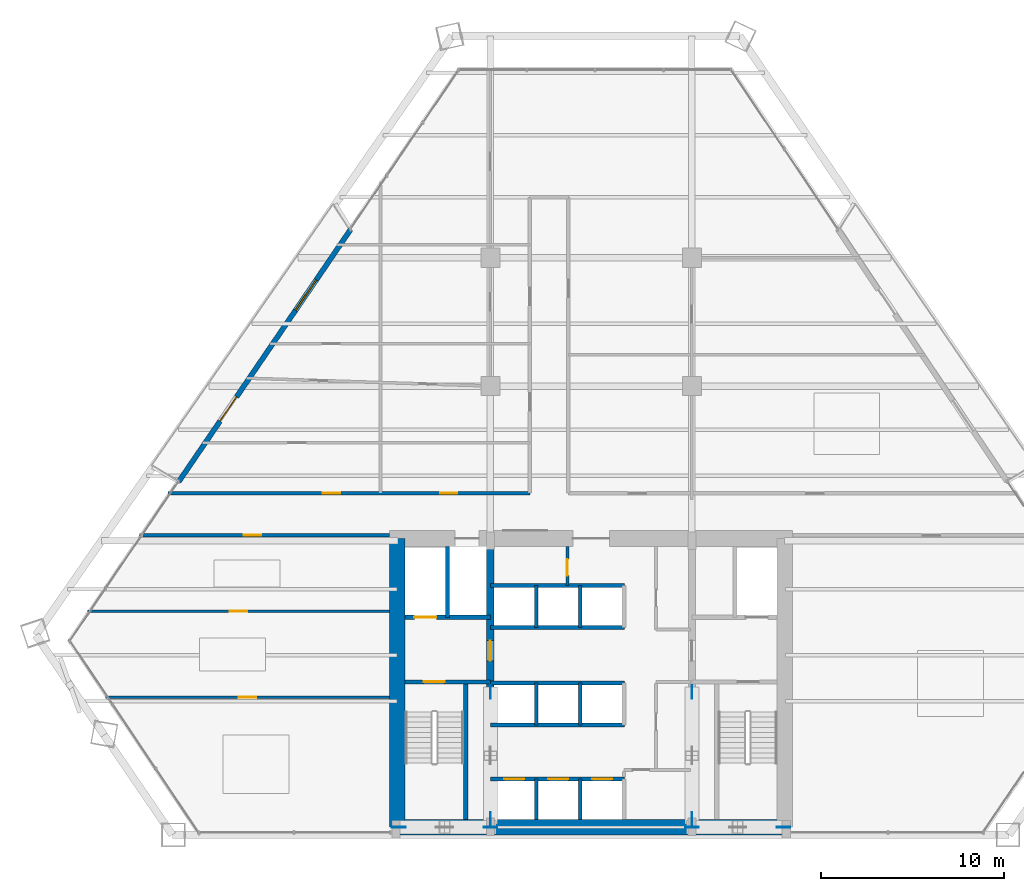
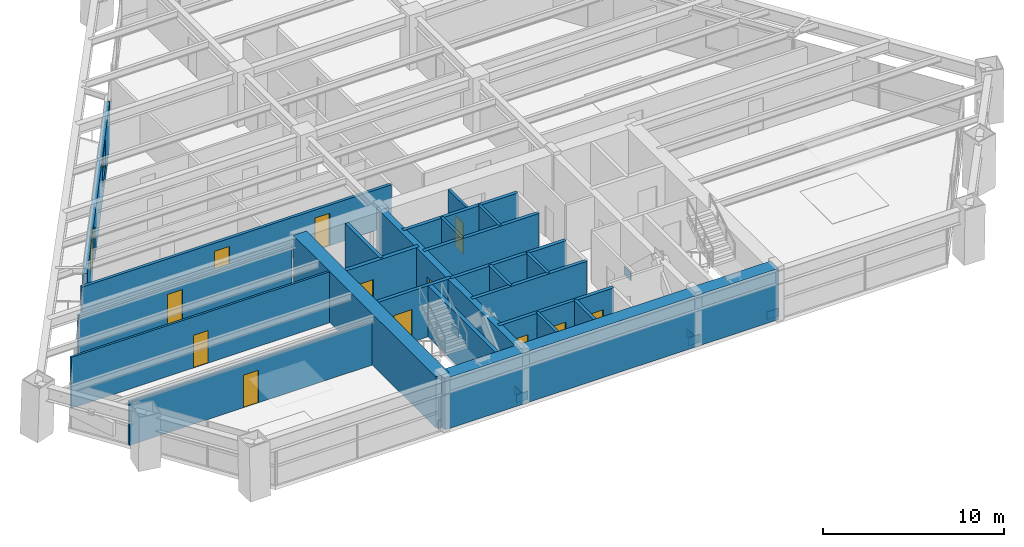
# One storey, part 10 of 14: 24 walls, 13 doors, 8 plates, 1 window, 14 openings.
"""IFC4 building model written with IfcOpenShell, lengths in metres."""

from ifc_helpers import new_model, si_unit, direction, frame, frame_2d, origin, origin_2d, place, context, subcontext, project, spatial, rectangle, extrude, source, transform, mapped, material, layer, layer_set, type_object, type_shapes, element, fill, save


model = new_model("IFC4")

# Units and contexts
model_context = context("Model", 3, precision=1e-05, world=origin(), true_north=direction((0.0, 1.0)))
body_context = subcontext(model_context, "Body", "Model", "MODEL_VIEW")
ifc_project = project(units=[si_unit("LENGTHUNIT", "METRE"), si_unit("AREAUNIT", "SQUARE_METRE"), si_unit("VOLUMEUNIT", "CUBIC_METRE"), si_unit("PLANEANGLEUNIT", "RADIAN"), si_unit("MASSUNIT", "GRAM", prefix="KILO")], contexts=[model_context])

# Site, building, storey
site_placement = place(None, origin())
site = spatial("IfcSite", under=ifc_project, at=site_placement, CompositionType="ELEMENT")
building_placement = place(site_placement, origin())
building = spatial("IfcBuilding", under=site, at=building_placement, Name="Varnakhor Terracotta Tower", CompositionType="ELEMENT")
storey_placement = place(building_placement, frame((0.0, 0.0, 46.0)))
storey = spatial("IfcBuildingStorey", under=building, at=storey_placement, Name="L10", CompositionType="ELEMENT", Elevation=46.0)

# Plates
ifc_material_1 = material(Name="Steel S460", Category="steel")
ifc_layer_1 = layer(ifc_material_1, 0.050048828125, Name="Steel S460")
ifc_layer_set_1 = layer_set([ifc_layer_1], Name="Steel S460")
plate_type = type_object("IfcPlateType", Name="PLT-GUSSET-50", PredefinedType="USERDEFINED", material=ifc_layer_set_1)
shared_shape_1 = source(origin(), body_context, "Body", "SweptSolid", [
    extrude(rectangle(XDim=0.75, YDim=0.0400390625, at=origin_2d()), origin(), (0.0, 0.0, 1.0), 0.550048828125),
])
type_shapes(plate_type, [shared_shape_1])
for number, where, z_axis, x_axis, name in (
    (1, (-10.5, 0.419921875, -0.09521484375), (0.0, 0.0, 1.0), (1.0, 0.0, 0.0), "L10 Core Brace Embed Plate CSWA"),
    (2, (-5.5, 0.419921875, -0.09521484375), (0.0, 0.0, 1.0), (1.0, 0.0, 0.0), "L10 Core Brace Embed Plate CSWB"),
    (3, (5.5, 0.419921875, -0.09521484375), (0.0, 0.0, 1.0), (1.0, 0.0, 0.0), "L10 Core Brace Embed Plate CSEA"),
    (4, (10.5, 0.419921875, -0.09521484375), (0.0, 0.0, 1.0), (1.0, 0.0, 0.0), "L10 Core Brace Embed Plate CSEB"),
    (5, (-5.5, 0.85009765625, -0.09521484375), (0.0, 0.0, 1.0), (0.0, 1.0, 0.0), "L10 Core Brace Embed Plate CWWA"),
    (6, (-5.5, 7.800048828125, -0.09521484375), (0.0, 0.0, 1.0), (0.0, 1.0, 0.0), "L10 Core Brace Embed Plate CWWB"),
    (7, (5.5, 0.85009765625, -0.09521484375), (0.0, 0.0, 1.0), (0.0, 1.0, 0.0), "L10 Core Brace Embed Plate CWEA"),
    (8, (5.5, 7.800048828125, -0.09521484375), (0.0, 0.0, 1.0), (0.0, 1.0, 0.0), "L10 Core Brace Embed Plate CWEB"),
):
    element("IfcPlate", number, at=place(storey_placement, frame(where, z_axis=z_axis, x_axis=x_axis)), inside=storey, type_object=plate_type, Name=name, ObjectType="GUSSET PLATE", PredefinedType="USERDEFINED", context=body_context, shape_type="MappedRepresentation", body=[
        mapped(shared_shape_1, transform((0.0, 0.0, 0.0), scale=1.0)),
    ])

# Walls
ifc_material_2 = material(Name="Concrete C60/75", Category="concrete")
ifc_layer_2 = layer(ifc_material_2, 0.85009765625, Name="Concrete C60/75")
ifc_layer_set_2 = layer_set([ifc_layer_2], Name="Concrete C60/75")
wall_type_1 = type_object("IfcWallType", Name="WAL-CORE-850", PredefinedType="SHEAR", material=ifc_layer_set_2)
wall_1_placement = place(storey_placement, frame((-10.64990234375, 0.425048828125, 0.0), z_axis=(0.0, 0.0, 1.0), x_axis=(1.0, 0.0, 0.0)))
element("IfcWall", 9, at=wall_1_placement, inside=storey, type_object=wall_type_1, Name="L10 South Core Shear Wall", PredefinedType="SHEAR", context=body_context, shape_type="SweptSolid", body=[
    extrude(rectangle(XDim=21.2998046875, YDim=0.85009765625, at=frame_2d((10.64990234375, 0.0))), origin(), (0.0, 0.0, 1.0), 3.449951171875),
])
wall_2_placement = place(storey_placement, frame((-10.574951171875, 0.425048828125, 0.0), z_axis=(0.0, 0.0, 1.0), x_axis=(0.0, 1.0, 0.0)))
element("IfcWall", 10, at=wall_2_placement, inside=storey, type_object=wall_type_1, Name="L10 West Core Shear Wall", PredefinedType="SHEAR", context=body_context, shape_type="SweptSolid", body=[
    extrude(rectangle(XDim=15.75, YDim=0.85009765625, at=frame_2d((7.875, 0.0))), origin(), (0.0, 0.0, 1.0), 3.449951171875),
])

# Wall, opening, door
ifc_material_3 = material(Name="Concrete C50/60", Category="concrete")
ifc_layer_3 = layer(ifc_material_3, 0.39990234375, Name="Concrete C50/60")
ifc_layer_set_3 = layer_set([ifc_layer_3], Name="Concrete C50/60")
wall_type_2 = type_object("IfcWallType", Name="WAL-CORE-WEB-400", PredefinedType="SHEAR", material=ifc_layer_set_3)
wall_3_placement = place(storey_placement, frame((-5.5, 0.425048828125, 0.0), z_axis=(0.0, 0.0, 1.0), x_axis=(0.0, 1.0, 0.0)))
wall_3 = element("IfcWall", 11, at=wall_3_placement, inside=storey, type_object=wall_type_2, Name="L10 West Core Web Shear Wall", PredefinedType="SHEAR", context=body_context, shape_type="SweptSolid", body=[
    extrude(rectangle(XDim=15.75, YDim=0.39990234375, at=frame_2d((7.875, 0.0))), origin(), (0.0, 0.0, 1.0), 3.449951171875),
])
opening_1_placement = place(wall_3_placement, frame((9.074951171875, 0.0, 0.0)))
opening_1 = element("IfcOpeningElement", 12, at=opening_1_placement, cuts=wall_3, Name="Opening DR-25", PredefinedType="OPENING", context=body_context, shape_type="SweptSolid", body=[
    extrude(rectangle(XDim=1.10009765625, YDim=2.199951171875, at=frame_2d((0.550048828125, 1.10009765625))), frame((0.0, 0.2099609375, 0.0), z_axis=(0.0, -1.0, 0.0), x_axis=(1.0, 0.0, 0.0)), (0.0, 0.0, 1.0), 0.419921875),
])
ifc_material_4 = material(Name="Firefighting Lobby Self-Closing Fire Door", Category="steel")
door_type_1 = type_object("IfcDoorType", Name="DR-FFL-1100X2200", OperationType="NOTDEFINED", PredefinedType="DOOR", material=ifc_material_4)
shared_shape_2 = source(origin(), body_context, "Body", "SweptSolid", [
    extrude(rectangle(XDim=1.10009765625, YDim=2.199951171875, at=frame_2d((0.550048828125, 1.10009765625))), frame((0.0, 0.02490234375, 0.0), z_axis=(0.0, -1.0, 0.0), x_axis=(1.0, 0.0, 0.0)), (0.0, 0.0, 1.0), 0.050048828125),
])
type_shapes(door_type_1, [shared_shape_2])
door_1_placement = place(opening_1_placement, origin())
door_1 = element("IfcDoor", 13, at=door_1_placement, inside=storey, type_object=door_type_1, Name="L10 West Firefighting Lobby Door", OperationType="SINGLE_SWING_RIGHT", OverallHeight=2.199951171875, OverallWidth=1.10009765625, PredefinedType="DOOR", context=body_context, shape_type="MappedRepresentation", body=[
    mapped(shared_shape_2, transform((0.0, 0.0, 0.0), scale=1.0)),
])
fill(opening_1, door_1)

ifc_material_5 = material(Name="Fire-Rated Gypsum Stud Partition", Category="gypsum")
ifc_layer_4 = layer(ifc_material_5, 0.18505859375, Name="Fire-Rated Gypsum Stud Partition")
ifc_layer_set_4 = layer_set([ifc_layer_4], Name="Fire-Rated Gypsum Stud Partition")
wall_type_3 = type_object("IfcWallType", Name="WAL-CORR-185", PredefinedType="PARTITIONING", material=ifc_layer_set_4)
wall_4_placement = place(storey_placement, frame((-24.66357421875, 16.35009765625, 0.0), z_axis=(0.0, 0.0, 1.0), x_axis=(1.0, 0.0, 0.0)))
wall_4 = element("IfcWall", 14, at=wall_4_placement, inside=storey, type_object=wall_type_3, Name="L10 South West Corridor Wall", PredefinedType="PARTITIONING", context=body_context, shape_type="SweptSolid", body=[
    extrude(rectangle(XDim=13.6435546875, YDim=0.18505859375, at=frame_2d((6.82177734375, 0.0))), origin(), (0.0, 0.0, 1.0), 2.7470703125),
])
opening_2_placement = place(wall_4_placement, frame((5.698486328125, 0.0, 0.0)))
opening_2 = element("IfcOpeningElement", 15, at=opening_2_placement, cuts=wall_4, Name="Opening DR-94", PredefinedType="OPENING", context=body_context, shape_type="SweptSolid", body=[
    extrude(rectangle(XDim=0.949951171875, YDim=2.199951171875, at=frame_2d((0.47509765625, 1.10009765625))), frame((0.0, 0.1025390625, 0.0), z_axis=(0.0, -1.0, 0.0), x_axis=(1.0, 0.0, 0.0)), (0.0, 0.0, 1.0), 0.205078125),
])
ifc_material_6 = material(Name="Acoustic Glazed-Vision Timber Office Door", Category="wood")
door_type_2 = type_object("IfcDoorType", Name="DR-OFF-950X2200", OperationType="NOTDEFINED", PredefinedType="DOOR", material=ifc_material_6)
shared_shape_3 = source(origin(), body_context, "Body", "SweptSolid", [
    extrude(rectangle(XDim=0.949951171875, YDim=2.199951171875, at=frame_2d((0.47509765625, 1.10009765625))), frame((0.0, 0.02490234375, 0.0), z_axis=(0.0, -1.0, 0.0), x_axis=(1.0, 0.0, 0.0)), (0.0, 0.0, 1.0), 0.050048828125),
])
type_shapes(door_type_2, [shared_shape_3])
door_2_placement = place(opening_2_placement, origin())
door_2 = element("IfcDoor", 16, at=door_2_placement, inside=storey, type_object=door_type_2, Name="L10 SW Suite Door", OperationType="SINGLE_SWING_LEFT", OverallHeight=2.199951171875, OverallWidth=0.949951171875, PredefinedType="DOOR", context=body_context, shape_type="MappedRepresentation", body=[
    mapped(shared_shape_3, transform((0.0, 0.0, 0.0), scale=1.0)),
])
fill(opening_2, door_2)

# Wall, openings, doors
wall_5_placement = place(storey_placement, frame((-23.096435546875, 18.64990234375, 0.0), z_axis=(0.0, 0.0, 1.0), x_axis=(1.0, 0.0, 0.0)))
wall_5 = element("IfcWall", 17, at=wall_5_placement, inside=storey, type_object=wall_type_3, Name="L10 Corridor North West Wall", PredefinedType="PARTITIONING", context=body_context, shape_type="SweptSolid", body=[
    extrude(rectangle(XDim=19.746337890625, YDim=0.18505859375, at=frame_2d((9.873046875, 0.0))), origin(), (0.0, 0.0, 1.0), 2.7470703125),
])
opening_3_placement = place(wall_5_placement, frame((8.44482421875, 0.0, 0.0)))
opening_3 = element("IfcOpeningElement", 18, at=opening_3_placement, cuts=wall_5, Name="Opening DR-94", PredefinedType="OPENING", context=body_context, shape_type="SweptSolid", body=[
    extrude(rectangle(XDim=0.949951171875, YDim=2.199951171875, at=frame_2d((0.47509765625, 1.10009765625))), frame((0.0, 0.1025390625, 0.0), z_axis=(0.0, -1.0, 0.0), x_axis=(1.0, 0.0, 0.0)), (0.0, 0.0, 1.0), 0.205078125),
])
opening_4_placement = place(wall_5_placement, frame((14.85009765625, 0.0, 0.0)))
opening_4 = element("IfcOpeningElement", 19, at=opening_4_placement, cuts=wall_5, Name="Opening DR-94", PredefinedType="OPENING", context=body_context, shape_type="SweptSolid", body=[
    extrude(rectangle(XDim=0.949951171875, YDim=2.199951171875, at=frame_2d((0.47509765625, 1.10009765625))), frame((0.0, 0.1025390625, 0.0), z_axis=(0.0, -1.0, 0.0), x_axis=(1.0, 0.0, 0.0)), (0.0, 0.0, 1.0), 0.205078125),
])
door_3_placement = place(opening_3_placement, origin())
door_3 = element("IfcDoor", 20, at=door_3_placement, inside=storey, type_object=door_type_2, Name="L10 West Workplace Door", OperationType="SINGLE_SWING_LEFT", OverallHeight=2.199951171875, OverallWidth=0.949951171875, PredefinedType="DOOR", context=body_context, shape_type="MappedRepresentation", body=[
    mapped(shared_shape_3, transform((0.0, 0.0, 0.0), scale=1.0)),
])
fill(opening_3, door_3)
door_4_placement = place(opening_4_placement, origin())
door_4 = element("IfcDoor", 21, at=door_4_placement, inside=storey, type_object=door_type_2, Name="L10 Project Study Office B7 Door", OperationType="SINGLE_SWING_RIGHT", OverallHeight=2.199951171875, OverallWidth=0.949951171875, PredefinedType="DOOR", context=body_context, shape_type="MappedRepresentation", body=[
    mapped(shared_shape_3, transform((0.0, 0.0, 0.0), scale=1.0)),
])
fill(opening_4, door_4)

# Wall, openings, door, window
ifc_material_7 = material(Name="Extruded Architectural Terracotta Assembly", Category="masonry")
ifc_layer_5 = layer(ifc_material_7, 0.280029296875, Name="Extruded Architectural Terracotta Assembly")
ifc_layer_set_5 = layer_set([ifc_layer_5], Name="Extruded Architectural Terracotta Assembly")
wall_type_4 = type_object("IfcWallType", Name="WAL-EXT-TERRACOTTA-280", PredefinedType="SOLIDWALL", material=ifc_layer_set_5)
wall_6_placement = place(storey_placement, frame((-22.510498046875, 19.279296875, 0.0), z_axis=(0.0, 0.0, 1.0), x_axis=(0.563087999023, 0.826396941764, 0.0)))
wall_6 = element("IfcWall", 22, at=wall_6_placement, inside=storey, type_object=wall_type_4, Name="L10 W Loggia Insulated Terracotta Wall", PredefinedType="SOLIDWALL", context=body_context, shape_type="SweptSolid", body=[
    extrude(rectangle(XDim=16.6552734375, YDim=0.280029296875, at=frame_2d((8.32763671875, 0.0))), origin(), (0.0, 0.0, 1.0), 3.030029296875),
])
opening_5_placement = place(wall_6_placement, frame((3.997314453125, 0.0, 0.0)))
opening_5 = element("IfcOpeningElement", 23, at=opening_5_placement, cuts=wall_6, Name="Opening DR-62", PredefinedType="OPENING", context=body_context, shape_type="SweptSolid", body=[
    extrude(rectangle(XDim=1.60009765625, YDim=2.35009765625, at=frame_2d((0.800048828125, 1.175048828125))), frame((0.0, 0.14990234375, 0.0), z_axis=(0.0, -1.0, 0.0), x_axis=(1.0, 0.0, 0.0)), (0.0, 0.0, 1.0), 0.300048828125),
])
opening_6_placement = place(wall_6_placement, frame((11.32568359375, 0.0, 0.89990234375)))
opening_6 = element("IfcOpeningElement", 24, at=opening_6_placement, cuts=wall_6, Name="Opening WN-26", PredefinedType="OPENING", context=body_context, shape_type="SweptSolid", body=[
    extrude(rectangle(XDim=2.0, YDim=1.85009765625, at=frame_2d((1.0, 0.925048828125))), frame((0.0, 0.14990234375, 0.0), z_axis=(0.0, -1.0, 0.0), x_axis=(1.0, 0.0, 0.0)), (0.0, 0.0, 1.0), 0.300048828125),
])
ifc_material_8 = material(Name="Thermally Broken Sliding Glass Loggia Door", Category="glass")
door_type_3 = type_object("IfcDoorType", Name="DR-EXT-LOGGIA-1600X2350", OperationType="NOTDEFINED", PredefinedType="DOOR", material=ifc_material_8)
shared_shape_4 = source(origin(), body_context, "Body", "SweptSolid", [
    extrude(rectangle(XDim=1.60009765625, YDim=2.35009765625, at=frame_2d((0.800048828125, 1.175048828125))), frame((0.0, 0.02490234375, 0.0), z_axis=(0.0, -1.0, 0.0), x_axis=(1.0, 0.0, 0.0)), (0.0, 0.0, 1.0), 0.050048828125),
])
type_shapes(door_type_3, [shared_shape_4])
door_5_placement = place(opening_5_placement, origin())
door_5 = element("IfcDoor", 25, at=door_5_placement, inside=storey, type_object=door_type_3, Name="L10 W Recessed Loggia Sliding Door", OperationType="SLIDING_TO_LEFT", OverallHeight=2.35009765625, OverallWidth=1.60009765625, PredefinedType="DOOR", context=body_context, shape_type="MappedRepresentation", body=[
    mapped(shared_shape_4, transform((0.0, 0.0, 0.0), scale=1.0)),
])
fill(opening_5, door_5)
ifc_material_9 = material(Name="Solar-Control Low-E Insulated Glass Unit", Category="glass")
window_type = type_object("IfcWindowType", Name="WIN-OFF-2200X2100", PartitioningType="SINGLE_PANEL", PredefinedType="WINDOW", material=ifc_material_9)
shared_shape_5 = source(origin(), body_context, "Body", "SweptSolid", [
    extrude(rectangle(XDim=2.0, YDim=1.85009765625, at=frame_2d((1.0, 0.925048828125))), frame((0.0, 0.030029296875, 0.0), z_axis=(0.0, -1.0, 0.0), x_axis=(1.0, 0.0, 0.0)), (0.0, 0.0, 1.0), 0.06005859375),
])
type_shapes(window_type, [shared_shape_5])
window_placement = place(opening_6_placement, origin())
window = element("IfcWindow", 26, at=window_placement, inside=storey, type_object=window_type, Name="L10 W Facet Punched Window", OverallHeight=1.85009765625, OverallWidth=2.0, PartitioningType="SINGLE_PANEL", PredefinedType="WINDOW", context=body_context, shape_type="MappedRepresentation", body=[
    mapped(shared_shape_5, transform((0.0, 0.0, 0.0), scale=1.0)),
])
fill(opening_6, window)

# Wall, opening, door
ifc_material_10 = material(Name="Concrete C40/50", Category="concrete")
ifc_layer_6 = layer(ifc_material_10, 0.219970703125, Name="Concrete C40/50")
ifc_layer_set_6 = layer_set([ifc_layer_6], Name="Concrete C40/50")
wall_type_5 = type_object("IfcWallType", Name="WAL-FFLOBBY-220", PredefinedType="SOLIDWALL", material=ifc_layer_set_6)
wall_7_placement = place(storey_placement, frame((-5.5, 8.35009765625, 0.0), z_axis=(0.0, 0.0, 1.0), x_axis=(-1.0, 0.0, 0.0)))
wall_7 = element("IfcWall", 27, at=wall_7_placement, inside=storey, type_object=wall_type_5, Name="L10 West Firefighting Lobby Stair Wall", PredefinedType="SOLIDWALL", context=body_context, shape_type="SweptSolid", body=[
    extrude(rectangle(XDim=4.64990234375, YDim=0.219970703125, at=frame_2d((2.324951171875, 0.0))), origin(), (0.0, 0.0, 1.0), 3.449951171875),
])
opening_7_placement = place(wall_7_placement, frame((2.5, 0.0, 0.0)))
opening_7 = element("IfcOpeningElement", 28, at=opening_7_placement, cuts=wall_7, Name="Opening DR-34", PredefinedType="OPENING", context=body_context, shape_type="SweptSolid", body=[
    extrude(rectangle(XDim=1.14990234375, YDim=2.199951171875, at=frame_2d((0.574951171875, 1.10009765625))), frame((0.0, 0.1201171875, 0.0), z_axis=(0.0, -1.0, 0.0), x_axis=(1.0, 0.0, 0.0)), (0.0, 0.0, 1.0), 0.239990234375),
])
ifc_material_11 = material(Name="Self-Closing Smoke-Sealed Steel Fire Door", Category="steel")
door_type_4 = type_object("IfcDoorType", Name="DR-STAIR-1150X2200", OperationType="NOTDEFINED", PredefinedType="DOOR", material=ifc_material_11)
shared_shape_6 = source(origin(), body_context, "Body", "SweptSolid", [
    extrude(rectangle(XDim=1.14990234375, YDim=2.199951171875, at=frame_2d((0.574951171875, 1.10009765625))), frame((0.0, 0.02490234375, 0.0), z_axis=(0.0, -1.0, 0.0), x_axis=(1.0, 0.0, 0.0)), (0.0, 0.0, 1.0), 0.050048828125),
])
type_shapes(door_type_4, [shared_shape_6])
door_6_placement = place(opening_7_placement, origin())
door_6 = element("IfcDoor", 29, at=door_6_placement, inside=storey, type_object=door_type_4, Name="L10 Exit Stair ST-1 Fire Door", OperationType="SINGLE_SWING_LEFT", OverallHeight=2.199951171875, OverallWidth=1.14990234375, PredefinedType="DOOR", context=body_context, shape_type="MappedRepresentation", body=[
    mapped(shared_shape_6, transform((0.0, 0.0, 0.0), scale=1.0)),
])
fill(opening_7, door_6)

ifc_material_12 = material(Name="Acoustic Metal-Stud Partition", Category="gypsum")
ifc_layer_7 = layer(ifc_material_12, 0.139892578125, Name="Acoustic Metal-Stud Partition")
ifc_layer_set_7 = layer_set([ifc_layer_7], Name="Acoustic Metal-Stud Partition")
wall_type_6 = type_object("IfcWallType", Name="WAL-PART-140", PredefinedType="PARTITIONING", material=ifc_layer_set_7)
wall_8_placement = place(storey_placement, frame((-26.501953125, 7.5, 0.0), z_axis=(0.0, 0.0, 1.0), x_axis=(1.0, 0.0, 0.0)))
wall_8 = element("IfcWall", 30, at=wall_8_placement, inside=storey, type_object=wall_type_6, Name="L10 South West Cut 1", PredefinedType="PARTITIONING", context=body_context, shape_type="SweptSolid", body=[
    extrude(rectangle(XDim=15.48193359375, YDim=0.139892578125, at=frame_2d((7.740966796875, 0.0))), origin(), (0.0, 0.0, 1.0), 2.97900390625),
])
opening_8_placement = place(wall_8_placement, frame((7.277587890625, 0.0, 0.0)))
opening_8 = element("IfcOpeningElement", 31, at=opening_8_placement, cuts=wall_8, Name="Opening DR-94", PredefinedType="OPENING", context=body_context, shape_type="SweptSolid", body=[
    extrude(rectangle(XDim=0.949951171875, YDim=2.199951171875, at=frame_2d((0.47509765625, 1.10009765625))), frame((0.0, 0.080078125, 0.0), z_axis=(0.0, -1.0, 0.0), x_axis=(1.0, 0.0, 0.0)), (0.0, 0.0, 1.0), 0.159912109375),
])
door_7_placement = place(opening_8_placement, origin())
door_7 = element("IfcDoor", 32, at=door_7_placement, inside=storey, type_object=door_type_2, Name="L10 South West Executive Office Door", OperationType="SINGLE_SWING_LEFT", OverallHeight=2.199951171875, OverallWidth=0.949951171875, PredefinedType="DOOR", context=body_context, shape_type="MappedRepresentation", body=[
    mapped(shared_shape_3, transform((0.0, 0.0, 0.0), scale=1.0)),
])
fill(opening_8, door_7)

wall_9_placement = place(storey_placement, frame((-27.4912109375, 12.199951171875, 0.0), z_axis=(0.0, 0.0, 1.0), x_axis=(1.0, 0.0, 0.0)))
wall_9 = element("IfcWall", 33, at=wall_9_placement, inside=storey, type_object=wall_type_6, Name="L10 South West Cut 2", PredefinedType="PARTITIONING", context=body_context, shape_type="SweptSolid", body=[
    extrude(rectangle(XDim=16.47119140625, YDim=0.139892578125, at=frame_2d((8.235595703125, 0.0))), origin(), (0.0, 0.0, 1.0), 3.44189453125),
])
opening_9_placement = place(wall_9_placement, frame((7.7734375, 0.0, 0.0)))
opening_9 = element("IfcOpeningElement", 34, at=opening_9_placement, cuts=wall_9, Name="Opening DR-94", PredefinedType="OPENING", context=body_context, shape_type="SweptSolid", body=[
    extrude(rectangle(XDim=0.949951171875, YDim=2.199951171875, at=frame_2d((0.47509765625, 1.10009765625))), frame((0.0, 0.080078125, 0.0), z_axis=(0.0, -1.0, 0.0), x_axis=(1.0, 0.0, 0.0)), (0.0, 0.0, 1.0), 0.159912109375),
])
door_8_placement = place(opening_9_placement, origin())
door_8 = element("IfcDoor", 35, at=door_8_placement, inside=storey, type_object=door_type_2, Name="L10 Project Study Office Door", OperationType="SINGLE_SWING_LEFT", OverallHeight=2.199951171875, OverallWidth=0.949951171875, PredefinedType="DOOR", context=body_context, shape_type="MappedRepresentation", body=[
    mapped(shared_shape_3, transform((0.0, 0.0, 0.0), scale=1.0)),
])
fill(opening_9, door_8)

# Walls
ifc_layer_8 = layer(ifc_material_10, 0.179931640625, Name="Concrete C40/50")
ifc_layer_set_8 = layer_set([ifc_layer_8], Name="Concrete C40/50")
wall_type_7 = type_object("IfcWallType", Name="WAL-SHAFT-180", PredefinedType="SOLIDWALL", material=ifc_layer_set_8)
for number, where, z_axis, x_axis, name in (
    (36, (-3.0, 0.85009765625, 0.0), (0.0, 0.0, 1.0), (0.0, 1.0, 0.0), "L10 PL-1A Divider"),
    (37, (-0.60009765625, 0.85009765625, 0.0), (0.0, 0.0, 1.0), (0.0, 1.0, 0.0), "L10 PL-1B Divider"),
):
    element("IfcWall", number, at=place(storey_placement, frame(where, z_axis=z_axis, x_axis=x_axis)), inside=storey, type_object=wall_type_7, Name=name, PredefinedType="SOLIDWALL", context=body_context, shape_type="SweptSolid", body=[
        extrude(rectangle(XDim=2.199951171875, YDim=0.179931640625, at=frame_2d((1.10009765625, 0.0))), origin(), (0.0, 0.0, 1.0), 3.449951171875),
    ])
for number, where, z_axis, x_axis, name in (
    (38, (-3.0, 6.0, 0.0), (0.0, 0.0, 1.0), (0.0, 1.0, 0.0), "L10 PL-2A Divider"),
    (39, (-0.60009765625, 6.0, 0.0), (0.0, 0.0, 1.0), (0.0, 1.0, 0.0), "L10 PL-2B Divider"),
    (40, (-3.0, 11.320068359375, 0.0), (0.0, 0.0, 1.0), (0.0, 1.0, 0.0), "L10 PL-3A Divider"),
    (41, (-0.60009765625, 11.320068359375, 0.0), (0.0, 0.0, 1.0), (0.0, 1.0, 0.0), "L10 PL-3B Divider"),
):
    element("IfcWall", number, at=place(storey_placement, frame(where, z_axis=z_axis, x_axis=x_axis)), inside=storey, type_object=wall_type_7, Name=name, PredefinedType="SOLIDWALL", context=body_context, shape_type="SweptSolid", body=[
        extrude(rectangle(XDim=2.300048828125, YDim=0.179931640625, at=frame_2d((1.14990234375, 0.0))), origin(), (0.0, 0.0, 1.0), 3.449951171875),
    ])
ifc_layer_9 = layer(ifc_material_10, 0.219970703125, Name="Concrete C40/50")
ifc_layer_set_9 = layer_set([ifc_layer_9], Name="Concrete C40/50")
wall_type_8 = type_object("IfcWallType", Name="WAL-SHAFT-220", PredefinedType="SOLIDWALL", material=ifc_layer_set_9)
wall_10_placement = place(storey_placement, frame((-7.840087890625, 11.8701171875, 0.0), z_axis=(0.0, 0.0, 1.0), x_axis=(0.0, 1.0, 0.0)))
element("IfcWall", 42, at=wall_10_placement, inside=storey, type_object=wall_type_8, Name="L10 Lift FFL-1 and SVL-1 Divider Wall", PredefinedType="SOLIDWALL", context=body_context, shape_type="SweptSolid", body=[
    extrude(rectangle(XDim=3.8798828125, YDim=0.219970703125, at=frame_2d((1.93994140625, 0.0))), origin(), (0.0, 0.0, 1.0), 3.449951171875),
])

# Wall, openings, doors
wall_11_placement = place(storey_placement, frame((-5.5, 3.050048828125, 0.0), z_axis=(0.0, 0.0, 1.0), x_axis=(1.0, 0.0, 0.0)))
wall_11 = element("IfcWall", 43, at=wall_11_placement, inside=storey, type_object=wall_type_8, Name="L10 Bank 1 Lift Shaft Wall", PredefinedType="SOLIDWALL", context=body_context, shape_type="SweptSolid", body=[
    extrude(rectangle(XDim=7.320068359375, YDim=0.219970703125, at=frame_2d((3.66015625, 0.0))), origin(), (0.0, 0.0, 1.0), 3.449951171875),
])
opening_10_placement = place(wall_11_placement, frame((0.75, 0.0, 0.0)))
opening_10 = element("IfcOpeningElement", 44, at=opening_10_placement, cuts=wall_11, Name="Opening LD-01", PredefinedType="OPENING", context=body_context, shape_type="SweptSolid", body=[
    extrude(rectangle(XDim=1.10009765625, YDim=2.199951171875, at=frame_2d((0.550048828125, 1.10009765625))), frame((0.0, 0.1201171875, 0.0), z_axis=(0.0, -1.0, 0.0), x_axis=(1.0, 0.0, 0.0)), (0.0, 0.0, 1.0), 0.239990234375),
])
opening_11_placement = place(wall_11_placement, frame((3.14990234375, 0.0, 0.0)))
opening_11 = element("IfcOpeningElement", 45, at=opening_11_placement, cuts=wall_11, Name="Opening LD-01", PredefinedType="OPENING", context=body_context, shape_type="SweptSolid", body=[
    extrude(rectangle(XDim=1.10009765625, YDim=2.199951171875, at=frame_2d((0.550048828125, 1.10009765625))), frame((0.0, 0.1201171875, 0.0), z_axis=(0.0, -1.0, 0.0), x_axis=(1.0, 0.0, 0.0)), (0.0, 0.0, 1.0), 0.239990234375),
])
opening_12_placement = place(wall_11_placement, frame((5.550048828125, 0.0, 0.0)))
opening_12 = element("IfcOpeningElement", 46, at=opening_12_placement, cuts=wall_11, Name="Opening LD-01", PredefinedType="OPENING", context=body_context, shape_type="SweptSolid", body=[
    extrude(rectangle(XDim=1.10009765625, YDim=2.199951171875, at=frame_2d((0.550048828125, 1.10009765625))), frame((0.0, 0.1201171875, 0.0), z_axis=(0.0, -1.0, 0.0), x_axis=(1.0, 0.0, 0.0)), (0.0, 0.0, 1.0), 0.239990234375),
])
ifc_material_13 = material(Name="Brushed Stainless Steel Sliding Lift Landing Door", Category="steel")
door_type_5 = type_object("IfcDoorType", Name="LD-PASS-1100X2200", OperationType="NOTDEFINED", PredefinedType="DOOR", material=ifc_material_13)
shared_shape_7 = source(origin(), body_context, "Body", "SweptSolid", [
    extrude(rectangle(XDim=1.10009765625, YDim=2.199951171875, at=frame_2d((0.550048828125, 1.10009765625))), frame((0.0, 0.02490234375, 0.0), z_axis=(0.0, -1.0, 0.0), x_axis=(1.0, 0.0, 0.0)), (0.0, 0.0, 1.0), 0.050048828125),
])
type_shapes(door_type_5, [shared_shape_7])
door_9_placement = place(opening_10_placement, origin())
door_9 = element("IfcDoor", 47, at=door_9_placement, inside=storey, type_object=door_type_5, Name="L10 Passenger Lift PL-1A Landing Door", OperationType="SLIDING_TO_RIGHT", OverallHeight=2.199951171875, OverallWidth=1.10009765625, PredefinedType="DOOR", context=body_context, shape_type="MappedRepresentation", body=[
    mapped(shared_shape_7, transform((0.0, 0.0, 0.0), scale=1.0)),
])
fill(opening_10, door_9)
door_10_placement = place(opening_11_placement, origin())
door_10 = element("IfcDoor", 48, at=door_10_placement, inside=storey, type_object=door_type_5, Name="L10 Passenger Lift PL-1B Landing Door", OperationType="SLIDING_TO_RIGHT", OverallHeight=2.199951171875, OverallWidth=1.10009765625, PredefinedType="DOOR", context=body_context, shape_type="MappedRepresentation", body=[
    mapped(shared_shape_7, transform((0.0, 0.0, 0.0), scale=1.0)),
])
fill(opening_11, door_10)
door_11_placement = place(opening_12_placement, origin())
door_11 = element("IfcDoor", 49, at=door_11_placement, inside=storey, type_object=door_type_5, Name="L10 Passenger Lift PL-1C Landing Door", OperationType="SLIDING_TO_RIGHT", OverallHeight=2.199951171875, OverallWidth=1.10009765625, PredefinedType="DOOR", context=body_context, shape_type="MappedRepresentation", body=[
    mapped(shared_shape_7, transform((0.0, 0.0, 0.0), scale=1.0)),
])
fill(opening_12, door_11)

# Walls
for number, where, z_axis, x_axis, name in (
    (50, (-5.5, 6.0, 0.0), (0.0, 0.0, 1.0), (1.0, 0.0, 0.0), "L10 Bank 2 South Shaft Wall"),
    (51, (-5.5, 8.300048828125, 0.0), (0.0, 0.0, 1.0), (1.0, 0.0, 0.0), "L10 Bank 2 North Shaft Wall"),
    (52, (-5.5, 11.320068359375, 0.0), (0.0, 0.0, 1.0), (1.0, 0.0, 0.0), "L10 Bank 3 South Shaft Wall"),
    (53, (-5.5, 13.6201171875, 0.0), (0.0, 0.0, 1.0), (1.0, 0.0, 0.0), "L10 Bank 3 North Shaft Wall"),
):
    element("IfcWall", number, at=place(storey_placement, frame(where, z_axis=z_axis, x_axis=x_axis)), inside=storey, type_object=wall_type_8, Name=name, PredefinedType="SOLIDWALL", context=body_context, shape_type="SweptSolid", body=[
        extrude(rectangle(XDim=7.320068359375, YDim=0.219970703125, at=frame_2d((3.66015625, 0.0))), origin(), (0.0, 0.0, 1.0), 3.449951171875),
    ])
ifc_layer_10 = layer(ifc_material_10, 0.25, Name="Concrete C40/50")
ifc_layer_set_10 = layer_set([ifc_layer_10], Name="Concrete C40/50")
wall_type_9 = type_object("IfcWallType", Name="WAL-SHAFT-250", PredefinedType="SOLIDWALL", material=ifc_layer_set_10)
wall_12_placement = place(storey_placement, frame((-6.85009765625, 0.85009765625, 0.0), z_axis=(0.0, 0.0, 1.0), x_axis=(0.0, 1.0, 0.0)))
element("IfcWall", 54, at=wall_12_placement, inside=storey, type_object=wall_type_9, Name="L10 Stair ST-1 Bearing Shaft Wall", PredefinedType="SOLIDWALL", context=body_context, shape_type="SweptSolid", body=[
    extrude(rectangle(XDim=7.5, YDim=0.25, at=frame_2d((3.75, 0.0))), origin(), (0.0, 0.0, 1.0), 3.449951171875),
])

# Wall, opening, door
wall_13_placement = place(storey_placement, frame((-5.5, 11.8701171875, 0.0), z_axis=(0.0, 0.0, 1.0), x_axis=(-1.0, 0.0, 0.0)))
wall_13 = element("IfcWall", 55, at=wall_13_placement, inside=storey, type_object=wall_type_9, Name="L10 Lift FFL-1 Shaft Front Wall", PredefinedType="SOLIDWALL", context=body_context, shape_type="SweptSolid", body=[
    extrude(rectangle(XDim=4.64990234375, YDim=0.25, at=frame_2d((2.324951171875, 0.0))), origin(), (0.0, 0.0, 1.0), 3.449951171875),
])
opening_13_placement = place(wall_13_placement, frame((2.949951171875, 0.0, 0.0)))
opening_13 = element("IfcOpeningElement", 56, at=opening_13_placement, cuts=wall_13, Name="Opening LD-02", PredefinedType="OPENING", context=body_context, shape_type="SweptSolid", body=[
    extrude(rectangle(XDim=1.199951171875, YDim=2.25, at=frame_2d((0.60009765625, 1.125))), frame((0.0, 0.135009765625, 0.0), z_axis=(0.0, -1.0, 0.0), x_axis=(1.0, 0.0, 0.0)), (0.0, 0.0, 1.0), 0.27001953125),
])
ifc_material_14 = material(Name="Firefighting Stretcher Sliding Lift Landing Door", Category="steel")
door_type_6 = type_object("IfcDoorType", Name="LD-FFL-1200X2250", OperationType="NOTDEFINED", PredefinedType="DOOR", material=ifc_material_14)
shared_shape_8 = source(origin(), body_context, "Body", "SweptSolid", [
    extrude(rectangle(XDim=1.199951171875, YDim=2.25, at=frame_2d((0.60009765625, 1.125))), frame((0.0, 0.02490234375, 0.0), z_axis=(0.0, -1.0, 0.0), x_axis=(1.0, 0.0, 0.0)), (0.0, 0.0, 1.0), 0.050048828125),
])
type_shapes(door_type_6, [shared_shape_8])
door_12_placement = place(opening_13_placement, origin())
door_12 = element("IfcDoor", 57, at=door_12_placement, inside=storey, type_object=door_type_6, Name="L10 Firefighting Lift FFL-1 Landing Door", OperationType="SLIDING_TO_LEFT", OverallHeight=2.25, OverallWidth=1.199951171875, PredefinedType="DOOR", context=body_context, shape_type="MappedRepresentation", body=[
    mapped(shared_shape_8, transform((0.0, 0.0, 0.0), scale=1.0)),
])
fill(opening_13, door_12)

ifc_material_15 = material(Name="Acoustic Fire-Rated Partition", Category="gypsum")
ifc_layer_11 = layer(ifc_material_15, 0.1650390625, Name="Acoustic Fire-Rated Partition")
ifc_layer_set_11 = layer_set([ifc_layer_11], Name="Acoustic Fire-Rated Partition")
wall_type_10 = type_object("IfcWallType", Name="WAL-TENANCY-165", PredefinedType="PARTITIONING", material=ifc_layer_set_11)
wall_14_placement = place(storey_placement, frame((-1.300048828125, 13.60009765625, 0.0), z_axis=(0.0, 0.0, 1.0), x_axis=(0.0, 1.0, 0.0)))
wall_14 = element("IfcWall", 58, at=wall_14_placement, inside=storey, type_object=wall_type_10, Name="L10 Male Restroom Wall", PredefinedType="PARTITIONING", context=body_context, shape_type="SweptSolid", body=[
    extrude(rectangle(XDim=2.14990234375, YDim=0.1650390625, at=frame_2d((1.074951171875, 0.0))), origin(), (0.0, 0.0, 1.0), 3.44189453125),
])
opening_14_placement = place(wall_14_placement, frame((0.550048828125, 0.0, 0.0)))
opening_14 = element("IfcOpeningElement", 59, at=opening_14_placement, cuts=wall_14, Name="Opening DR-67", PredefinedType="OPENING", context=body_context, shape_type="SweptSolid", body=[
    extrude(rectangle(XDim=0.89990234375, YDim=2.10009765625, at=frame_2d((0.449951171875, 1.050048828125))), frame((0.0, 0.092529296875, 0.0), z_axis=(0.0, -1.0, 0.0), x_axis=(1.0, 0.0, 0.0)), (0.0, 0.0, 1.0), 0.18505859375),
])
ifc_material_16 = material(Name="Steel Service Riser Fire Door", Category="steel")
door_type_7 = type_object("IfcDoorType", Name="DR-RISER-900X2100", OperationType="NOTDEFINED", PredefinedType="DOOR", material=ifc_material_16)
shared_shape_9 = source(origin(), body_context, "Body", "SweptSolid", [
    extrude(rectangle(XDim=0.89990234375, YDim=2.10009765625, at=frame_2d((0.449951171875, 1.050048828125))), frame((0.0, 0.02490234375, 0.0), z_axis=(0.0, -1.0, 0.0), x_axis=(1.0, 0.0, 0.0)), (0.0, 0.0, 1.0), 0.050048828125),
])
type_shapes(door_type_7, [shared_shape_9])
door_13_placement = place(opening_14_placement, origin())
door_13 = element("IfcDoor", 60, at=door_13_placement, inside=storey, type_object=door_type_7, Name="L10 Male WC Door", OperationType="SINGLE_SWING_LEFT", OverallHeight=2.10009765625, OverallWidth=0.89990234375, PredefinedType="DOOR", context=body_context, shape_type="MappedRepresentation", body=[
    mapped(shared_shape_9, transform((0.0, 0.0, 0.0), scale=1.0)),
])
fill(opening_14, door_13)

save(model, "model.ifc")
